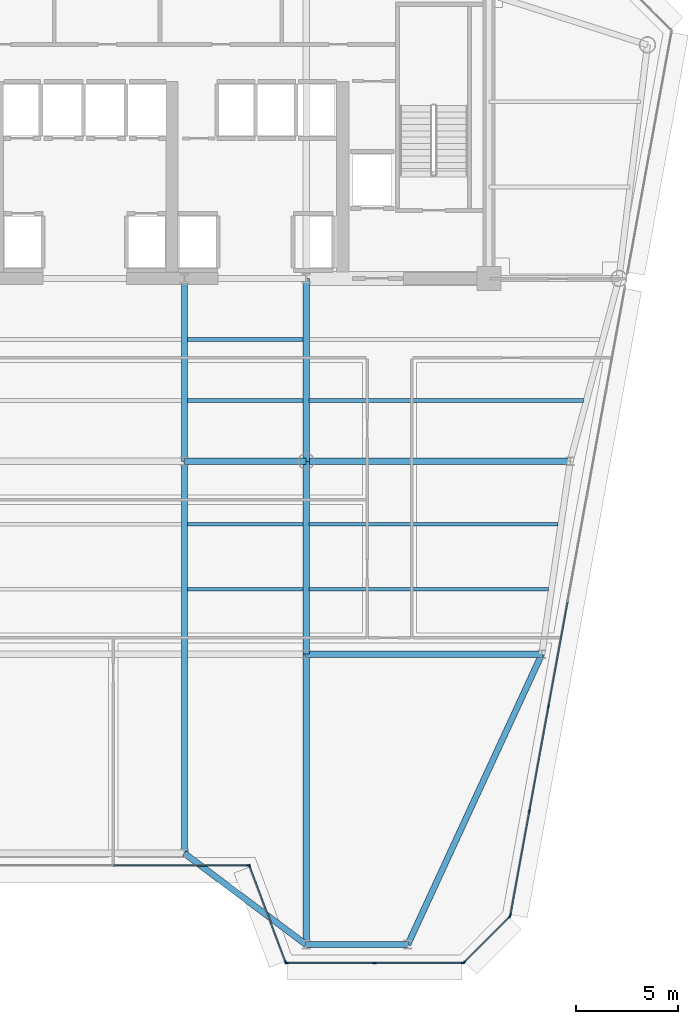
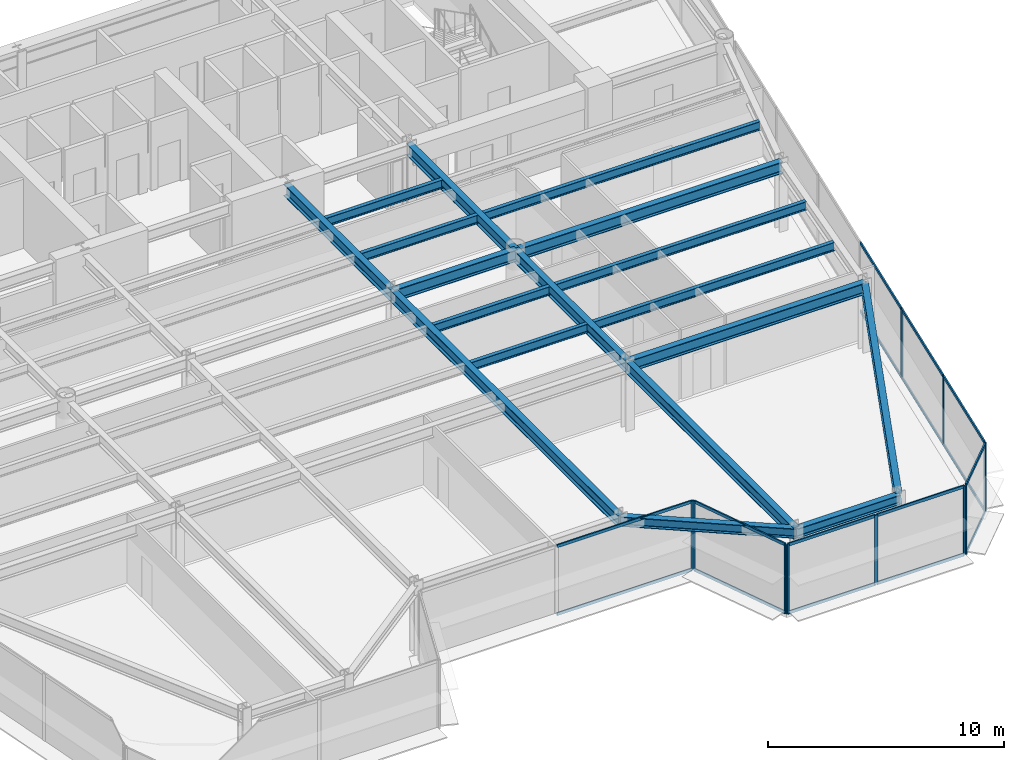
# One storey, part 5 of 17: 27 members, 18 beams, 5 elements without a shape of their own.
"""IFC4 building model written with IfcOpenShell, lengths in metres."""

from ifc_helpers import new_model, si_unit, direction, frame, origin, origin_2d, place, context, subcontext, project, spatial, rectangle, i_section, extrude, source, transform, mapped, material, layer, layer_set, material_profile, profile_set, type_object, element, aggregate, save


model = new_model("IFC4")

# Units and contexts
model_context = context("Model", 3, precision=1e-05, world=origin(), true_north=direction((0.0, 1.0)))
body_context = subcontext(model_context, "Body", "Model", "MODEL_VIEW")
ifc_project = project(units=[si_unit("LENGTHUNIT", "METRE"), si_unit("AREAUNIT", "SQUARE_METRE"), si_unit("VOLUMEUNIT", "CUBIC_METRE"), si_unit("PLANEANGLEUNIT", "RADIAN"), si_unit("MASSUNIT", "GRAM", prefix="KILO")], contexts=[model_context])

# Site, building, storey
site_placement = place(None, origin())
site = spatial("IfcSite", under=ifc_project, at=site_placement, CompositionType="ELEMENT")
building_placement = place(site_placement, origin())
building = spatial("IfcBuilding", under=site, at=building_placement, Name="Vaeldorn Concourse Tower", CompositionType="ELEMENT")
storey_placement = place(building_placement, frame((0.0, 0.0, 172.800048828125)))
storey = spatial("IfcBuildingStorey", under=building, at=storey_placement, Name="L44", CompositionType="ELEMENT", Elevation=172.800048828125)

# Beams
ifc_material_1 = material(Name="Steel S355", Category="steel")
ifc_material_profile_1 = material_profile(ifc_material_1, i_section(OverallWidth=0.300048828125, OverallDepth=0.5, WebThickness=0.014404296875, FlangeThickness=0.028076171875, FilletRadius=0.027099609375, at=origin_2d()), Name="HEB 500")
ifc_profile_set_1 = profile_set([ifc_material_profile_1], Name="Steel S355")
beam_type_1 = type_object("IfcBeamType", Name="BM-SP-HEB500", PredefinedType="SPANDREL", material=ifc_profile_set_1)
shared_shape_1 = source(origin(), body_context, "Body", "SweptSolid", [
    extrude(i_section(OverallWidth=0.300048828125, OverallDepth=0.5, WebThickness=0.014404296875, FlangeThickness=0.028076171875, FilletRadius=0.027099609375, at=origin_2d()), origin(), (0.0, 0.0, 1.0), 5.0),
])
beam_1_placement = place(storey_placement, frame((45.0, 3.699951171875, 3.329833984375), z_axis=(1.0, 0.0, 0.0), x_axis=(0.0, 1.0, 0.0)))
element("IfcBeam", 1, at=beam_1_placement, inside=storey, type_object=beam_type_1, Name="Beam BM-L44-C-SF5-C-SF6", PredefinedType="SPANDREL", context=body_context, shape_type="MappedRepresentation", body=[
    mapped(shared_shape_1, transform((0.0, 0.0, 0.0), scale=1.0)),
])
shared_shape_2 = source(origin(), body_context, "Body", "SweptSolid", [
    extrude(i_section(OverallWidth=0.300048828125, OverallDepth=0.5, WebThickness=0.014404296875, FlangeThickness=0.028076171875, FilletRadius=0.027099609375, at=origin_2d()), origin(), (0.0, 0.0, 1.0), 7.5),
])
beam_2_placement = place(storey_placement, frame((39.0, 8.199951171875, 3.329833984375), z_axis=(0.8, -0.6, 0.0), x_axis=(0.6, 0.8, 0.0)))
element("IfcBeam", 2, at=beam_2_placement, inside=storey, type_object=beam_type_1, Name="Beam BM-L44-C-SF4-C-SF5", PredefinedType="SPANDREL", context=body_context, shape_type="MappedRepresentation", body=[
    mapped(shared_shape_2, transform((0.0, 0.0, 0.0), scale=1.0)),
])
ifc_material_profile_2 = material_profile(ifc_material_1, i_section(OverallWidth=0.18994140625, OverallDepth=0.449951171875, WebThickness=0.009521484375, FlangeThickness=0.0146484375, FilletRadius=0.02099609375, at=origin_2d()), Name="IPE 450")
ifc_profile_set_2 = profile_set([ifc_material_profile_2], Name="Steel S355")
beam_type_2 = type_object("IfcBeamType", Name="BM-JS-IPE450", PredefinedType="JOIST", material=ifc_profile_set_2)
shared_shape_3 = source(origin(), body_context, "Body", "SweptSolid", [
    extrude(i_section(OverallWidth=0.18994140625, OverallDepth=0.449951171875, WebThickness=0.009521484375, FlangeThickness=0.0146484375, FilletRadius=0.02099609375, at=origin_2d()), origin(), (0.0, 0.0, 1.0), 5.7001953125),
])
for number, where, z_axis, x_axis, name in (
    (3, (39.14990234375, 21.199951171875, 3.35498046875), (1.0, 0.0, 0.0), (0.0, 1.0, 0.0), "Beam JS-L44-E2-212"),
    (4, (39.14990234375, 24.39990234375, 3.35498046875), (1.0, 0.0, 0.0), (0.0, 1.0, 0.0), "Beam JS-L44-E2-244"),
    (5, (39.14990234375, 30.5, 3.35498046875), (1.0, 0.0, 0.0), (0.0, 1.0, 0.0), "Beam JS-L44-E2-305"),
    (6, (39.14990234375, 33.5, 3.35498046875), (1.0, 0.0, 0.0), (0.0, 1.0, 0.0), "Beam JS-L44-E2-335"),
):
    element("IfcBeam", number, at=place(storey_placement, frame(where, z_axis=z_axis, x_axis=x_axis)), inside=storey, type_object=beam_type_2, Name=name, PredefinedType="JOIST", context=body_context, shape_type="MappedRepresentation", body=[
        mapped(shared_shape_3, transform((0.0, 0.0, 0.0), scale=1.0)),
    ])
shared_shape_4 = source(origin(), body_context, "Body", "SweptSolid", [
    extrude(i_section(OverallWidth=0.18994140625, OverallDepth=0.449951171875, WebThickness=0.009521484375, FlangeThickness=0.0146484375, FilletRadius=0.02099609375, at=origin_2d()), origin(), (0.0, 0.0, 1.0), 11.771728515625),
])
beam_3_placement = place(storey_placement, frame((45.14990234375, 21.199951171875, 3.35498046875), z_axis=(1.0, 0.0, 0.0), x_axis=(0.0, 1.0, 0.0)))
element("IfcBeam", 7, at=beam_3_placement, inside=storey, type_object=beam_type_2, Name="Beam JS-L44-E1-212", PredefinedType="JOIST", context=body_context, shape_type="MappedRepresentation", body=[
    mapped(shared_shape_4, transform((0.0, 0.0, 0.0), scale=1.0)),
])
shared_shape_5 = source(origin(), body_context, "Body", "SweptSolid", [
    extrude(i_section(OverallWidth=0.18994140625, OverallDepth=0.449951171875, WebThickness=0.009521484375, FlangeThickness=0.0146484375, FilletRadius=0.02099609375, at=origin_2d()), origin(), (0.0, 0.0, 1.0), 12.243408203125),
])
beam_4_placement = place(storey_placement, frame((45.14990234375, 24.39990234375, 3.35498046875), z_axis=(1.0, 0.0, 0.0), x_axis=(0.0, 1.0, 0.0)))
element("IfcBeam", 8, at=beam_4_placement, inside=storey, type_object=beam_type_2, Name="Beam JS-L44-E1-244", PredefinedType="JOIST", context=body_context, shape_type="MappedRepresentation", body=[
    mapped(shared_shape_5, transform((0.0, 0.0, 0.0), scale=1.0)),
])
shared_shape_6 = source(origin(), body_context, "Body", "SweptSolid", [
    extrude(i_section(OverallWidth=0.18994140625, OverallDepth=0.449951171875, WebThickness=0.009521484375, FlangeThickness=0.0146484375, FilletRadius=0.02099609375, at=origin_2d()), origin(), (0.0, 0.0, 1.0), 13.5),
])
beam_5_placement = place(storey_placement, frame((45.14990234375, 30.5, 3.35498046875), z_axis=(1.0, 0.0, 0.0), x_axis=(0.0, 1.0, 0.0)))
element("IfcBeam", 9, at=beam_5_placement, inside=storey, type_object=beam_type_2, Name="Beam JS-L44-E1-305", PredefinedType="JOIST", context=body_context, shape_type="MappedRepresentation", body=[
    mapped(shared_shape_6, transform((0.0, 0.0, 0.0), scale=1.0)),
])
ifc_material_profile_3 = material_profile(ifc_material_1, i_section(OverallWidth=0.300048828125, OverallDepth=0.60009765625, WebThickness=0.015380859375, FlangeThickness=0.030029296875, FilletRadius=0.027099609375, at=origin_2d()), Name="HEB 600")
ifc_profile_set_3 = profile_set([ifc_material_profile_3], Name="Steel S355")
beam_type_3 = type_object("IfcBeamType", Name="BM-PG-HEB600", PredefinedType="BEAM", material=ifc_profile_set_3)
shared_shape_7 = source(origin(), body_context, "Body", "SweptSolid", [
    extrude(i_section(OverallWidth=0.300048828125, OverallDepth=0.60009765625, WebThickness=0.015380859375, FlangeThickness=0.030029296875, FilletRadius=0.027099609375, at=origin_2d()), origin(), (0.0, 0.0, 1.0), 6.0),
])
beam_6_placement = place(storey_placement, frame((39.0, 27.5, 3.280029296875), z_axis=(1.0, 0.0, 0.0), x_axis=(0.0, 1.0, 0.0)))
element("IfcBeam", 10, at=beam_6_placement, inside=storey, type_object=beam_type_3, Name="Beam BM-L44-C-TW3-C-TW4", PredefinedType="BEAM", context=body_context, shape_type="MappedRepresentation", body=[
    mapped(shared_shape_7, transform((0.0, 0.0, 0.0), scale=1.0)),
])
shared_shape_8 = source(origin(), body_context, "Body", "SweptSolid", [
    extrude(i_section(OverallWidth=0.300048828125, OverallDepth=0.60009765625, WebThickness=0.015380859375, FlangeThickness=0.030029296875, FilletRadius=0.027099609375, at=origin_2d()), origin(), (0.0, 0.0, 1.0), 9.0),
])
for number, where, z_axis, x_axis, name in (
    (11, (39.0, 27.5, 3.280029296875), (0.0, 1.0, 0.0), (-1.0, 0.0, 0.0), "Beam BM-L44-C-TW3-C-FC4"),
    (12, (45.0, 27.5, 3.280029296875), (0.0, 1.0, 0.0), (-1.0, 0.0, 0.0), "Beam BM-L44-C-TW4-C-FC5"),
):
    element("IfcBeam", number, at=place(storey_placement, frame(where, z_axis=z_axis, x_axis=x_axis)), inside=storey, type_object=beam_type_3, Name=name, PredefinedType="BEAM", context=body_context, shape_type="MappedRepresentation", body=[
        mapped(shared_shape_8, transform((0.0, 0.0, 0.0), scale=1.0)),
    ])
shared_shape_9 = source(origin(), body_context, "Body", "SweptSolid", [
    extrude(i_section(OverallWidth=0.300048828125, OverallDepth=0.60009765625, WebThickness=0.015380859375, FlangeThickness=0.030029296875, FilletRadius=0.027099609375, at=origin_2d()), origin(), (0.0, 0.0, 1.0), 13.0),
])
beam_7_placement = place(storey_placement, frame((45.0, 27.5, 3.280029296875), z_axis=(1.0, 0.0, 0.0), x_axis=(0.0, 1.0, 0.0)))
element("IfcBeam", 13, at=beam_7_placement, inside=storey, type_object=beam_type_3, Name="Beam BM-L44-C-TW4-C-FLE1", PredefinedType="BEAM", context=body_context, shape_type="MappedRepresentation", body=[
    mapped(shared_shape_9, transform((0.0, 0.0, 0.0), scale=1.0)),
])
shared_shape_10 = source(origin(), body_context, "Body", "SweptSolid", [
    extrude(i_section(OverallWidth=0.300048828125, OverallDepth=0.60009765625, WebThickness=0.015380859375, FlangeThickness=0.030029296875, FilletRadius=0.027099609375, at=origin_2d()), origin(), (0.0, 0.0, 1.0), 11.60009765625),
])
beam_8_placement = place(storey_placement, frame((45.0, 18.0, 3.280029296875), z_axis=(1.0, 0.0, 0.0), x_axis=(0.0, 1.0, 0.0)))
element("IfcBeam", 14, at=beam_8_placement, inside=storey, type_object=beam_type_3, Name="Beam BM-L44-C-TW6-C-FLE2", PredefinedType="BEAM", context=body_context, shape_type="MappedRepresentation", body=[
    mapped(shared_shape_10, transform((0.0, 0.0, 0.0), scale=1.0)),
])
shared_shape_11 = source(origin(), body_context, "Body", "SweptSolid", [
    extrude(i_section(OverallWidth=0.300048828125, OverallDepth=0.60009765625, WebThickness=0.015380859375, FlangeThickness=0.030029296875, FilletRadius=0.027099609375, at=origin_2d()), origin(), (0.0, 0.0, 1.0), 9.5),
])
beam_9_placement = place(storey_placement, frame((45.0, 18.0, 3.280029296875), z_axis=(0.0, 1.0, 0.0), x_axis=(-1.0, 0.0, 0.0)))
element("IfcBeam", 15, at=beam_9_placement, inside=storey, type_object=beam_type_3, Name="Beam BM-L44-C-TW6-C-TW4", PredefinedType="BEAM", context=body_context, shape_type="MappedRepresentation", body=[
    mapped(shared_shape_11, transform((0.0, 0.0, 0.0), scale=1.0)),
])
shared_shape_12 = source(origin(), body_context, "Body", "SweptSolid", [
    extrude(i_section(OverallWidth=0.300048828125, OverallDepth=0.60009765625, WebThickness=0.015380859375, FlangeThickness=0.030029296875, FilletRadius=0.027099609375, at=origin_2d()), origin(), (0.0, 0.0, 1.0), 15.749755859375),
])
beam_10_placement = place(storey_placement, frame((50.0, 3.699951171875, 3.280029296875), z_axis=(0.419062109495, 0.907957569706, 0.0), x_axis=(-0.907957569706, 0.419062109495, 0.0)))
element("IfcBeam", 16, at=beam_10_placement, inside=storey, type_object=beam_type_3, Name="Beam BM-L44-C-SF6-C-FLE2", PredefinedType="BEAM", context=body_context, shape_type="MappedRepresentation", body=[
    mapped(shared_shape_12, transform((0.0, 0.0, 0.0), scale=1.0)),
])
shared_shape_13 = source(origin(), body_context, "Body", "SweptSolid", [
    extrude(i_section(OverallWidth=0.300048828125, OverallDepth=0.60009765625, WebThickness=0.015380859375, FlangeThickness=0.030029296875, FilletRadius=0.027099609375, at=origin_2d()), origin(), (0.0, 0.0, 1.0), 14.300048828125),
])
beam_11_placement = place(storey_placement, frame((45.0, 3.699951171875, 3.280029296875), z_axis=(0.0, 1.0, 0.0), x_axis=(-1.0, 0.0, 0.0)))
element("IfcBeam", 17, at=beam_11_placement, inside=storey, type_object=beam_type_3, Name="Beam BM-L44-C-SF5-C-TW6", PredefinedType="BEAM", context=body_context, shape_type="MappedRepresentation", body=[
    mapped(shared_shape_13, transform((0.0, 0.0, 0.0), scale=1.0)),
])
shared_shape_14 = source(origin(), body_context, "Body", "SweptSolid", [
    extrude(i_section(OverallWidth=0.300048828125, OverallDepth=0.60009765625, WebThickness=0.015380859375, FlangeThickness=0.030029296875, FilletRadius=0.027099609375, at=origin_2d()), origin(), (0.0, 0.0, 1.0), 19.300048828125),
])
beam_12_placement = place(storey_placement, frame((39.0, 8.199951171875, 3.280029296875), z_axis=(0.0, 1.0, 0.0), x_axis=(-1.0, 0.0, 0.0)))
element("IfcBeam", 18, at=beam_12_placement, inside=storey, type_object=beam_type_3, Name="Beam BM-L44-C-SF4-C-TW3", PredefinedType="BEAM", context=body_context, shape_type="MappedRepresentation", body=[
    mapped(shared_shape_14, transform((0.0, 0.0, 0.0), scale=1.0)),
])

# Curtain wall, member
ifc_material_2 = material(Name="Anodised Bronze Aluminium", Category="aluminium")
ifc_layer = layer(ifc_material_2, 0.18994140625)
ifc_layer_set = layer_set([ifc_layer], Name="Anodised Bronze Aluminium")
curtain_wall_type = type_object("IfcCurtainWallType", Name="CW-SYS-03", PredefinedType="NOTDEFINED", material=ifc_layer_set)
curtain_wall_1_placement = place(storey_placement, origin())
curtain_wall_1 = element("IfcCurtainWall", 19, at=curtain_wall_1_placement, inside=storey, type_object=curtain_wall_type, Name="Unitised Curtain Wall CW-L44-E03-1", PredefinedType="NOTDEFINED")
ifc_material_profile_4 = material_profile(ifc_material_2, rectangle(XDim=0.06494140625, YDim=0.169921875, at=origin_2d()), Name="CWM 65x170")
ifc_profile_set_4 = profile_set([ifc_material_profile_4], Name="Anodised Bronze Aluminium")
member_type_1 = type_object("IfcMemberType", Name="CWM-BRONZE-170", PredefinedType="MULLION", material=ifc_profile_set_4)
shared_shape_15 = source(origin(), body_context, "Body", "SweptSolid", [
    extrude(rectangle(XDim=0.06494140625, YDim=0.169921875, at=origin_2d()), origin(), (0.0, 0.0, 1.0), 3.579833984375),
])
member_1_placement = place(storey_placement, frame((42.16748046875, 7.60009765625, 0.0), z_axis=(0.0, 0.0, 1.0), x_axis=(0.0, 1.0, 0.0)))
member_1 = element("IfcMember", 20, at=member_1_placement, type_object=member_type_1, Name="CW-03 mullion 3", PredefinedType="MULLION", context=body_context, shape_type="MappedRepresentation", body=[
    mapped(shared_shape_15, transform((0.0, 0.0, 0.0), scale=1.0)),
])

# Curtain wall, members
curtain_wall_2_placement = place(storey_placement, origin())
curtain_wall_2 = element("IfcCurtainWall", 21, at=curtain_wall_2_placement, inside=storey, type_object=curtain_wall_type, Name="Unitised Curtain Wall CW-L44-E04-1", PredefinedType="NOTDEFINED")
member_2_placement = place(storey_placement, frame((42.21142578125, 7.569580078125, 0.0), z_axis=(0.0, 0.0, 1.0), x_axis=(0.936329177566, 0.351123441595, 0.0)))
member_2 = element("IfcMember", 22, at=member_2_placement, type_object=member_type_1, Name="CW-03 mullion 1", PredefinedType="MULLION", context=body_context, shape_type="MappedRepresentation", body=[
    mapped(shared_shape_15, transform((0.0, 0.0, 0.0), scale=1.0)),
])
member_3_placement = place(storey_placement, frame((43.988525390625, 2.830322265625, 0.0), z_axis=(0.0, 0.0, 1.0), x_axis=(0.936329177566, 0.351123441595, 0.0)))
member_3 = element("IfcMember", 23, at=member_3_placement, type_object=member_type_1, Name="CW-03 mullion 2", PredefinedType="MULLION", context=body_context, shape_type="MappedRepresentation", body=[
    mapped(shared_shape_15, transform((0.0, 0.0, 0.0), scale=1.0)),
])

curtain_wall_3_placement = place(storey_placement, origin())
curtain_wall_3 = element("IfcCurtainWall", 24, at=curtain_wall_3_placement, inside=storey, type_object=curtain_wall_type, Name="Unitised Curtain Wall CW-L44-E05-1", PredefinedType="NOTDEFINED")
member_4_placement = place(storey_placement, frame((44.032470703125, 2.800048828125, 0.0), z_axis=(0.0, 0.0, 1.0), x_axis=(0.0, 1.0, 0.0)))
member_4 = element("IfcMember", 25, at=member_4_placement, type_object=member_type_1, Name="CW-03 mullion 1", PredefinedType="MULLION", context=body_context, shape_type="MappedRepresentation", body=[
    mapped(shared_shape_15, transform((0.0, 0.0, 0.0), scale=1.0)),
])
member_5_placement = place(storey_placement, frame((48.37353515625, 2.800048828125, 0.0), z_axis=(0.0, 0.0, 1.0), x_axis=(0.0, 1.0, 0.0)))
member_5 = element("IfcMember", 26, at=member_5_placement, type_object=member_type_1, Name="CW-03 mullion 2", PredefinedType="MULLION", context=body_context, shape_type="MappedRepresentation", body=[
    mapped(shared_shape_15, transform((0.0, 0.0, 0.0), scale=1.0)),
])
member_6_placement = place(storey_placement, frame((52.714599609375, 2.800048828125, 0.0), z_axis=(0.0, 0.0, 1.0), x_axis=(0.0, 1.0, 0.0)))
member_6 = element("IfcMember", 27, at=member_6_placement, type_object=member_type_1, Name="CW-03 mullion 3", PredefinedType="MULLION", context=body_context, shape_type="MappedRepresentation", body=[
    mapped(shared_shape_15, transform((0.0, 0.0, 0.0), scale=1.0)),
])

curtain_wall_4_placement = place(storey_placement, origin())
curtain_wall_4 = element("IfcCurtainWall", 28, at=curtain_wall_4_placement, inside=storey, type_object=curtain_wall_type, Name="Unitised Curtain Wall CW-L44-E06-1", PredefinedType="NOTDEFINED")
member_7_placement = place(storey_placement, frame((52.77001953125, 2.822998046875, 0.0), z_axis=(0.0, 0.0, 1.0), x_axis=(-0.707106781187, 0.707106781187, 0.0)))
member_7 = element("IfcMember", 29, at=member_7_placement, type_object=member_type_1, Name="CW-03 mullion 1", PredefinedType="MULLION", context=body_context, shape_type="MappedRepresentation", body=[
    mapped(shared_shape_15, transform((0.0, 0.0, 0.0), scale=1.0)),
])
member_8_placement = place(storey_placement, frame((55.02392578125, 5.076904296875, 0.0), z_axis=(0.0, 0.0, 1.0), x_axis=(-0.707106781187, 0.707106781187, 0.0)))
member_8 = element("IfcMember", 30, at=member_8_placement, type_object=member_type_1, Name="CW-03 mullion 2", PredefinedType="MULLION", context=body_context, shape_type="MappedRepresentation", body=[
    mapped(shared_shape_15, transform((0.0, 0.0, 0.0), scale=1.0)),
])

curtain_wall_5_placement = place(storey_placement, origin())
curtain_wall_5 = element("IfcCurtainWall", 31, at=curtain_wall_5_placement, inside=storey, type_object=curtain_wall_type, Name="Unitised Curtain Wall CW-L44-E07-1", PredefinedType="NOTDEFINED")
member_9_placement = place(storey_placement, frame((55.052734375, 5.132080078125, 0.0), z_axis=(0.0, 0.0, 1.0), x_axis=(-0.983767841325, 0.179445909331, 0.0)))
member_9 = element("IfcMember", 32, at=member_9_placement, type_object=member_type_1, Name="CW-03 mullion 1", PredefinedType="MULLION", context=body_context, shape_type="MappedRepresentation", body=[
    mapped(shared_shape_15, transform((0.0, 0.0, 0.0), scale=1.0)),
])
member_10_placement = place(storey_placement, frame((55.989013671875, 10.263916015625, 0.0), z_axis=(0.0, 0.0, 1.0), x_axis=(-0.983767841325, 0.179445909331, 0.0)))
member_10 = element("IfcMember", 33, at=member_10_placement, type_object=member_type_1, Name="CW-03 mullion 2", PredefinedType="MULLION", context=body_context, shape_type="MappedRepresentation", body=[
    mapped(shared_shape_15, transform((0.0, 0.0, 0.0), scale=1.0)),
])
member_11_placement = place(storey_placement, frame((56.930908203125, 15.427734375, 0.0), z_axis=(0.0, 0.0, 1.0), x_axis=(-0.983767841325, 0.179445909331, 0.0)))
member_11 = element("IfcMember", 34, at=member_11_placement, type_object=member_type_1, Name="CW-03 mullion 3", PredefinedType="MULLION", context=body_context, shape_type="MappedRepresentation", body=[
    mapped(shared_shape_15, transform((0.0, 0.0, 0.0), scale=1.0)),
])

# Member
ifc_material_profile_5 = material_profile(ifc_material_2, rectangle(XDim=0.06494140625, YDim=0.14990234375, at=origin_2d()), Name="CWT 65x150")
ifc_profile_set_5 = profile_set([ifc_material_profile_5], Name="Anodised Bronze Aluminium")
member_type_2 = type_object("IfcMemberType", Name="CWT-BRONZE-150", PredefinedType="USERDEFINED", material=ifc_profile_set_5)
shared_shape_16 = source(origin(), body_context, "Body", "SweptSolid", [
    extrude(rectangle(XDim=0.06494140625, YDim=0.14990234375, at=origin_2d()), origin(), (0.0, 0.0, 1.0), 4.996337890625),
])
member_12_placement = place(storey_placement, frame((42.222900390625, 7.5390625, 0.032470703125), z_axis=(0.351134151405, -0.936325161318, 0.0), x_axis=(0.936325161318, 0.351134151405, 0.0)))
member_12 = element("IfcMember", 35, at=member_12_placement, type_object=member_type_2, Name="CW-03 transom 1.1", ObjectType="TRANSOM", PredefinedType="USERDEFINED", context=body_context, shape_type="MappedRepresentation", body=[
    mapped(shared_shape_16, transform((0.0, 0.0, 0.0), scale=1.0)),
])

member_13_placement = place(storey_placement, frame((42.222900390625, 7.5390625, 3.54736328125), z_axis=(0.351134151405, -0.936325161318, 0.0), x_axis=(0.936325161318, 0.351134151405, 0.0)))
member_13 = element("IfcMember", 36, at=member_13_placement, type_object=member_type_2, Name="CW-03 transom 1.2", ObjectType="TRANSOM", PredefinedType="USERDEFINED", context=body_context, shape_type="MappedRepresentation", body=[
    mapped(shared_shape_16, transform((0.0, 0.0, 0.0), scale=1.0)),
])

aggregate(curtain_wall_2, [member_2, member_3, member_12, member_13])

shared_shape_17 = source(origin(), body_context, "Body", "SweptSolid", [
    extrude(rectangle(XDim=0.06494140625, YDim=0.14990234375, at=origin_2d()), origin(), (0.0, 0.0, 1.0), 6.6025390625),
])
member_14_placement = place(storey_placement, frame((35.532470703125, 7.60009765625, 0.032470703125), z_axis=(1.0, 0.0, 0.0), x_axis=(0.0, 1.0, 0.0)))
member_14 = element("IfcMember", 37, at=member_14_placement, type_object=member_type_2, Name="CW-03 transom 2.1", ObjectType="TRANSOM", PredefinedType="USERDEFINED", context=body_context, shape_type="MappedRepresentation", body=[
    mapped(shared_shape_17, transform((0.0, 0.0, 0.0), scale=1.0)),
])

member_15_placement = place(storey_placement, frame((35.532470703125, 7.60009765625, 3.54736328125), z_axis=(1.0, 0.0, 0.0), x_axis=(0.0, 1.0, 0.0)))
member_15 = element("IfcMember", 38, at=member_15_placement, type_object=member_type_2, Name="CW-03 transom 2.2", ObjectType="TRANSOM", PredefinedType="USERDEFINED", context=body_context, shape_type="MappedRepresentation", body=[
    mapped(shared_shape_17, transform((0.0, 0.0, 0.0), scale=1.0)),
])

aggregate(curtain_wall_1, [member_1, member_14, member_15])

shared_shape_18 = source(origin(), body_context, "Body", "SweptSolid", [
    extrude(rectangle(XDim=0.06494140625, YDim=0.14990234375, at=origin_2d()), origin(), (0.0, 0.0, 1.0), 3.12255859375),
])
member_16_placement = place(storey_placement, frame((52.79296875, 2.845947265625, 0.032470703125), z_axis=(0.707106781187, 0.707106781187, 0.0), x_axis=(-0.707106781187, 0.707106781187, 0.0)))
member_16 = element("IfcMember", 39, at=member_16_placement, type_object=member_type_2, Name="CW-03 transom 1.1", ObjectType="TRANSOM", PredefinedType="USERDEFINED", context=body_context, shape_type="MappedRepresentation", body=[
    mapped(shared_shape_18, transform((0.0, 0.0, 0.0), scale=1.0)),
])

member_17_placement = place(storey_placement, frame((52.79296875, 2.845947265625, 3.54736328125), z_axis=(0.707106781187, 0.707106781187, 0.0), x_axis=(-0.707106781187, 0.707106781187, 0.0)))
member_17 = element("IfcMember", 40, at=member_17_placement, type_object=member_type_2, Name="CW-03 transom 1.2", ObjectType="TRANSOM", PredefinedType="USERDEFINED", context=body_context, shape_type="MappedRepresentation", body=[
    mapped(shared_shape_18, transform((0.0, 0.0, 0.0), scale=1.0)),
])

aggregate(curtain_wall_4, [member_7, member_8, member_16, member_17])

shared_shape_19 = source(origin(), body_context, "Body", "SweptSolid", [
    extrude(rectangle(XDim=0.06494140625, YDim=0.14990234375, at=origin_2d()), origin(), (0.0, 0.0, 1.0), 4.276123046875),
])
member_18_placement = place(storey_placement, frame((44.06494140625, 2.800048828125, 0.032470703125), z_axis=(1.0, 0.0, 0.0), x_axis=(0.0, 1.0, 0.0)))
member_18 = element("IfcMember", 41, at=member_18_placement, type_object=member_type_2, Name="CW-03 transom 1.1", ObjectType="TRANSOM", PredefinedType="USERDEFINED", context=body_context, shape_type="MappedRepresentation", body=[
    mapped(shared_shape_19, transform((0.0, 0.0, 0.0), scale=1.0)),
])

member_19_placement = place(storey_placement, frame((44.06494140625, 2.800048828125, 3.54736328125), z_axis=(1.0, 0.0, 0.0), x_axis=(0.0, 1.0, 0.0)))
member_19 = element("IfcMember", 42, at=member_19_placement, type_object=member_type_2, Name="CW-03 transom 1.2", ObjectType="TRANSOM", PredefinedType="USERDEFINED", context=body_context, shape_type="MappedRepresentation", body=[
    mapped(shared_shape_19, transform((0.0, 0.0, 0.0), scale=1.0)),
])

shared_shape_20 = source(origin(), body_context, "Body", "SweptSolid", [
    extrude(rectangle(XDim=0.06494140625, YDim=0.14990234375, at=origin_2d()), origin(), (0.0, 0.0, 1.0), 4.27587890625),
])
member_20_placement = place(storey_placement, frame((48.406005859375, 2.800048828125, 0.032470703125), z_axis=(1.0, 0.0, 0.0), x_axis=(0.0, 1.0, 0.0)))
member_20 = element("IfcMember", 43, at=member_20_placement, type_object=member_type_2, Name="CW-03 transom 2.1", ObjectType="TRANSOM", PredefinedType="USERDEFINED", context=body_context, shape_type="MappedRepresentation", body=[
    mapped(shared_shape_20, transform((0.0, 0.0, 0.0), scale=1.0)),
])

member_21_placement = place(storey_placement, frame((48.406005859375, 2.800048828125, 3.54736328125), z_axis=(1.0, 0.0, 0.0), x_axis=(0.0, 1.0, 0.0)))
member_21 = element("IfcMember", 44, at=member_21_placement, type_object=member_type_2, Name="CW-03 transom 2.2", ObjectType="TRANSOM", PredefinedType="USERDEFINED", context=body_context, shape_type="MappedRepresentation", body=[
    mapped(shared_shape_20, transform((0.0, 0.0, 0.0), scale=1.0)),
])

aggregate(curtain_wall_3, [member_4, member_5, member_6, member_18, member_19, member_20, member_21])

shared_shape_21 = source(origin(), body_context, "Body", "SweptSolid", [
    extrude(rectangle(XDim=0.06494140625, YDim=0.14990234375, at=origin_2d()), origin(), (0.0, 0.0, 1.0), 5.151611328125),
])
member_22_placement = place(storey_placement, frame((55.05859375, 5.1640625, 0.032470703125), z_axis=(0.179473445995, 0.983762818053, 0.0), x_axis=(-0.983762818053, 0.179473445995, 0.0)))
member_22 = element("IfcMember", 45, at=member_22_placement, type_object=member_type_2, Name="CW-03 transom 1.1", ObjectType="TRANSOM", PredefinedType="USERDEFINED", context=body_context, shape_type="MappedRepresentation", body=[
    mapped(shared_shape_21, transform((0.0, 0.0, 0.0), scale=1.0)),
])

member_23_placement = place(storey_placement, frame((55.05859375, 5.1640625, 3.54736328125), z_axis=(0.179473445995, 0.983762818053, 0.0), x_axis=(-0.983762818053, 0.179473445995, 0.0)))
member_23 = element("IfcMember", 46, at=member_23_placement, type_object=member_type_2, Name="CW-03 transom 1.2", ObjectType="TRANSOM", PredefinedType="USERDEFINED", context=body_context, shape_type="MappedRepresentation", body=[
    mapped(shared_shape_21, transform((0.0, 0.0, 0.0), scale=1.0)),
])

shared_shape_22 = source(origin(), body_context, "Body", "SweptSolid", [
    extrude(rectangle(XDim=0.06494140625, YDim=0.14990234375, at=origin_2d()), origin(), (0.0, 0.0, 1.0), 5.18408203125),
])
member_24_placement = place(storey_placement, frame((55.994873046875, 10.2958984375, 0.032470703125), z_axis=(0.179432467646, 0.983770293084, 0.0), x_axis=(-0.983770293084, 0.179432467646, 0.0)))
member_24 = element("IfcMember", 47, at=member_24_placement, type_object=member_type_2, Name="CW-03 transom 2.1", ObjectType="TRANSOM", PredefinedType="USERDEFINED", context=body_context, shape_type="MappedRepresentation", body=[
    mapped(shared_shape_22, transform((0.0, 0.0, 0.0), scale=1.0)),
])

member_25_placement = place(storey_placement, frame((55.994873046875, 10.2958984375, 3.54736328125), z_axis=(0.179432467646, 0.983770293084, 0.0), x_axis=(-0.983770293084, 0.179432467646, 0.0)))
member_25 = element("IfcMember", 48, at=member_25_placement, type_object=member_type_2, Name="CW-03 transom 2.2", ObjectType="TRANSOM", PredefinedType="USERDEFINED", context=body_context, shape_type="MappedRepresentation", body=[
    mapped(shared_shape_22, transform((0.0, 0.0, 0.0), scale=1.0)),
])

shared_shape_23 = source(origin(), body_context, "Body", "SweptSolid", [
    extrude(rectangle(XDim=0.06494140625, YDim=0.14990234375, at=origin_2d()), origin(), (0.0, 0.0, 1.0), 5.184326171875),
])
member_26_placement = place(storey_placement, frame((56.936767578125, 15.459716796875, 0.032470703125), z_axis=(0.179424154775, 0.983771809254, 0.0), x_axis=(-0.983771809254, 0.179424154775, 0.0)))
member_26 = element("IfcMember", 49, at=member_26_placement, type_object=member_type_2, Name="CW-03 transom 3.1", ObjectType="TRANSOM", PredefinedType="USERDEFINED", context=body_context, shape_type="MappedRepresentation", body=[
    mapped(shared_shape_23, transform((0.0, 0.0, 0.0), scale=1.0)),
])

member_27_placement = place(storey_placement, frame((56.936767578125, 15.459716796875, 3.54736328125), z_axis=(0.179424154775, 0.983771809254, 0.0), x_axis=(-0.983771809254, 0.179424154775, 0.0)))
member_27 = element("IfcMember", 50, at=member_27_placement, type_object=member_type_2, Name="CW-03 transom 3.2", ObjectType="TRANSOM", PredefinedType="USERDEFINED", context=body_context, shape_type="MappedRepresentation", body=[
    mapped(shared_shape_23, transform((0.0, 0.0, 0.0), scale=1.0)),
])

aggregate(curtain_wall_5, [member_9, member_10, member_11, member_22, member_23, member_24, member_25, member_26, member_27])

save(model, "model.ifc")
